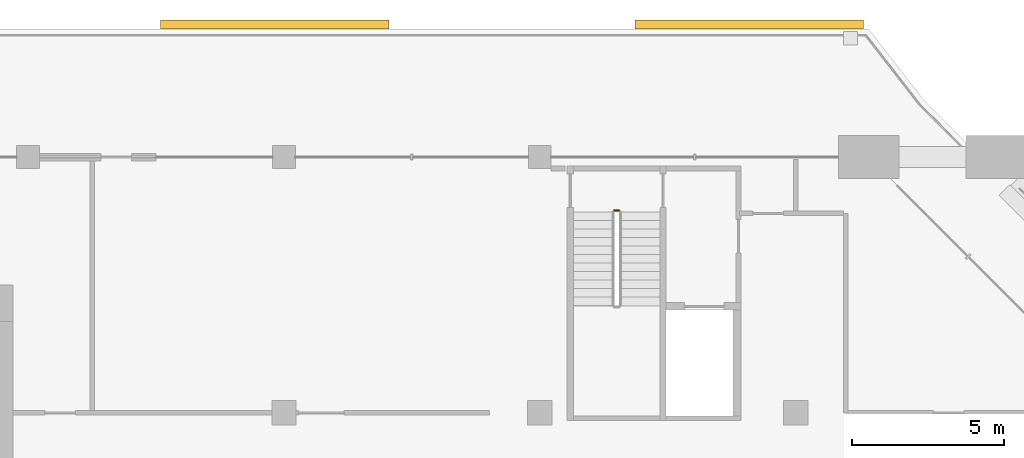
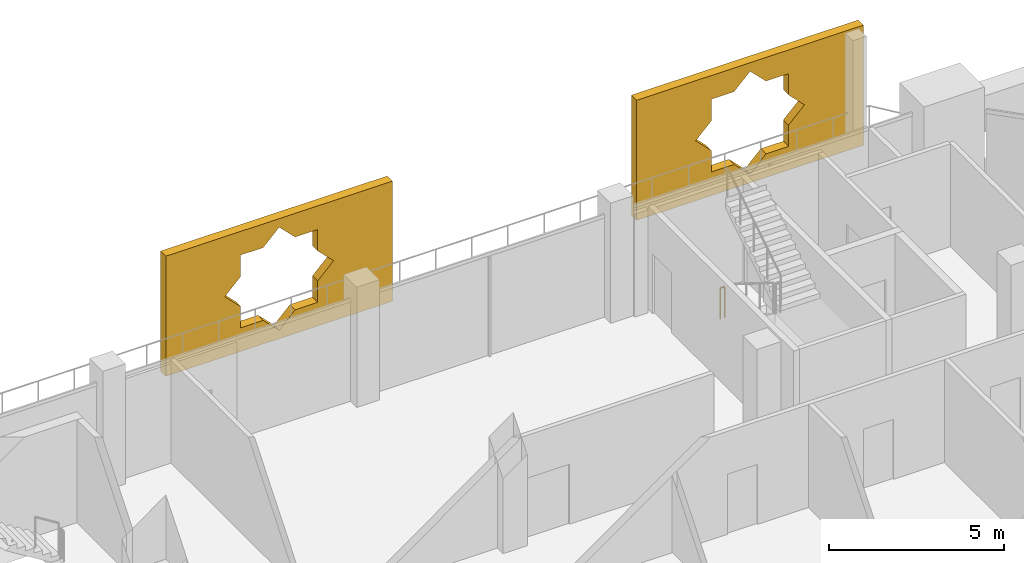
# One storey, part 20 of 20: 2 coverings, 1 railing.
"""IFC4 building model written with IfcOpenShell, lengths in metres."""

from ifc_helpers import new_model, si_unit, direction, frame, origin, origin_2d, place, context, subcontext, project, spatial, polyline, circle, outline, extrude, material, material_profile, profile_set, type_object, element, save


model = new_model("IFC4")

# Units and contexts
model_context = context("Model", 3, precision=1e-05, world=origin(), true_north=direction((0.0, 1.0)))
body_context = subcontext(model_context, "Body", "Model", "MODEL_VIEW")
ifc_project = project(units=[si_unit("LENGTHUNIT", "METRE"), si_unit("AREAUNIT", "SQUARE_METRE"), si_unit("VOLUMEUNIT", "CUBIC_METRE"), si_unit("PLANEANGLEUNIT", "RADIAN"), si_unit("MASSUNIT", "GRAM", prefix="KILO")], contexts=[model_context])

# Site, building, storey
site_placement = place(None, origin())
site = spatial("IfcSite", under=ifc_project, at=site_placement, CompositionType="ELEMENT")
building_placement = place(site_placement, origin())
building = spatial("IfcBuilding", under=site, at=building_placement, Name="Kawkab Arch Medical Tower", CompositionType="ELEMENT")
storey_placement = place(building_placement, frame((0.0, 0.0, 277.60009765625)))
storey = spatial("IfcBuildingStorey", under=building, at=storey_placement, Name="L64", CompositionType="ELEMENT", Elevation=277.60009765625)

# Coverings
ifc_material_1 = material(Name="Bronze anodised aluminium mashrabiya panel, eight-point star pattern", Category="aluminium")
ifc_material_profile = material_profile(ifc_material_1, outline(polyline([(-3.75, -2.10009765625), (3.75, -2.10009765625), (3.75, 2.10009765625), (-3.75, 2.10009765625), (-3.75, -2.10009765625)]), holes=[polyline([(1.800048828125, 0.0), (1.272705078125, 0.527099609375), (1.272705078125, 1.272705078125), (0.527099609375, 1.272705078125), (0.0, 1.800048828125), (-0.527099609375, 1.272705078125), (-1.272705078125, 1.272705078125), (-1.272705078125, 0.527099609375), (-1.800048828125, 0.0), (-1.272705078125, -0.527099609375), (-1.272705078125, -1.272705078125), (-0.527099609375, -1.272705078125), (0.0, -1.800048828125), (0.527099609375, -1.272705078125), (1.272705078125, -1.272705078125), (1.272705078125, -0.527099609375), (1.800048828125, 0.0)])]), Name="Mashrabiya panel 7500x4200")
ifc_profile_set = profile_set([ifc_material_profile], Name="Bronze anodised aluminium mashrabiya panel, eight-point star pattern")
covering_type = type_object("IfcCoveringType", Name="Mashrabiya panel 7500 x 4200", PredefinedType="USERDEFINED", material=ifc_profile_set)
for number, where, z_axis, x_axis, name in (
    (1, (33.29931640625, 4.199951171875, 1.699951171875), (0.0, 1.0, 0.0), (-1.0, 0.0, 0.0), "Mashrabiya panel L64.LOG-01-01.9"),
    (2, (48.8759765625, 4.199951171875, 1.699951171875), (0.0, 1.0, 0.0), (-1.0, 0.0, 0.0), "Mashrabiya panel L64.LOG-01-01.10"),
):
    element("IfcCovering", number, at=place(storey_placement, frame(where, z_axis=z_axis, x_axis=x_axis)), inside=storey, type_object=covering_type, Name=name, ObjectType="SCREEN", PredefinedType="USERDEFINED", context=body_context, shape_type="SweptSolid", body=[
        extrude(outline(polyline([(-3.75, -2.10009765625), (3.75, -2.10009765625), (3.75, 2.10009765625), (-3.75, 2.10009765625), (-3.75, -2.10009765625)]), holes=[polyline([(1.800048828125, 0.0), (1.272705078125, 0.527099609375), (1.272705078125, 1.272705078125), (0.527099609375, 1.272705078125), (0.0, 1.800048828125), (-0.527099609375, 1.272705078125), (-1.272705078125, 1.272705078125), (-1.272705078125, 0.527099609375), (-1.800048828125, 0.0), (-1.272705078125, -0.527099609375), (-1.272705078125, -1.272705078125), (-0.527099609375, -1.272705078125), (0.0, -1.800048828125), (0.527099609375, -1.272705078125), (1.272705078125, -1.272705078125), (1.272705078125, -0.527099609375), (1.800048828125, 0.0)])]), origin(), (0.0, 0.0, 1.0), 0.300048828125),
    ])

# Railing
ifc_material_2 = material(Name="Stainless steel", Category="steel")
railing_type = type_object("IfcRailingType", Name="Stair guard 1100", PredefinedType="GUARDRAIL", material=ifc_material_2)
railing_placement = place(storey_placement, frame((44.449951171875, -1.75, 0.0)))
element("IfcRailing", 3, at=railing_placement, inside=storey, type_object=railing_type, Name="L64 ST5 stair guard 4", PredefinedType="GUARDRAIL", context=body_context, shape_type="SweptSolid", body=[
    extrude(circle(Radius=0.02392578125, at=origin_2d()), frame((0.0, 0.0, 1.076171875), z_axis=(1.0, 0.0, 0.0), x_axis=(0.0, 1.0, 0.0)), (0.0, 0.0, 1.0), 0.150146484375),
    extrude(circle(Radius=0.02099609375, at=origin_2d()), origin(), (0.0, 0.0, 1.0), 1.052001953125),
    extrude(circle(Radius=0.02099609375, at=origin_2d()), frame((0.150146484375, 0.0, 0.0)), (0.0, 0.0, 1.0), 1.052001953125),
])

save(model, "model.ifc")
